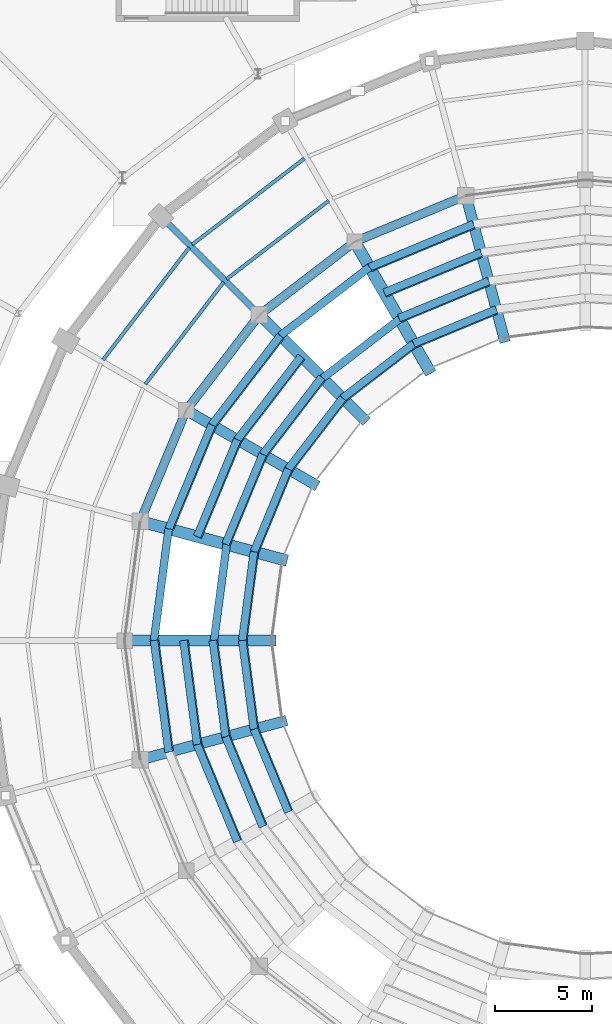
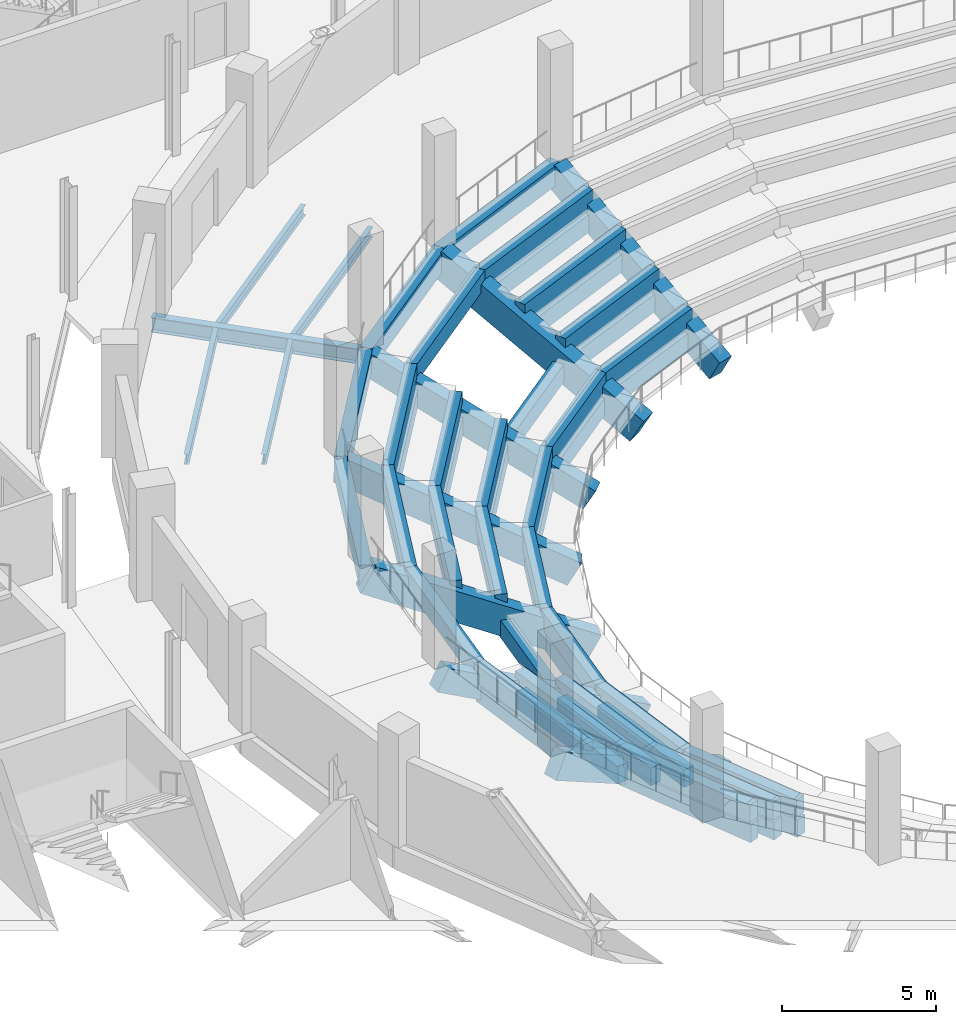
# One storey, part 53 of 134: 62 beams.
"""IFC4 building model written with IfcOpenShell, lengths in metres."""

from ifc_helpers import new_model, si_unit, direction, frame, origin, origin_2d, place, context, subcontext, project, spatial, rectangle, i_section, extrude, material, material_profile, profile_set, type_object, element, save


model = new_model("IFC4")

# Units and contexts
model_context = context("Model", 3, precision=1e-05, world=origin(), true_north=direction((0.0, 1.0)))
body_context = subcontext(model_context, "Body", "Model", "MODEL_VIEW")
ifc_project = project(units=[si_unit("LENGTHUNIT", "METRE"), si_unit("AREAUNIT", "SQUARE_METRE"), si_unit("VOLUMEUNIT", "CUBIC_METRE"), si_unit("PLANEANGLEUNIT", "RADIAN"), si_unit("MASSUNIT", "GRAM", prefix="KILO")], contexts=[model_context])

# Site, building, storey
site_placement = place(None, origin())
site = spatial("IfcSite", under=ifc_project, at=site_placement, CompositionType="ELEMENT")
building_placement = place(site_placement, origin())
building = spatial("IfcBuilding", under=site, at=building_placement, Name="Sohan Crest Arena", CompositionType="ELEMENT")
storey_placement = place(building_placement, frame((0.0, 0.0, 4.5)))
storey = spatial("IfcBuildingStorey", under=building, at=storey_placement, Name="L01", CompositionType="ELEMENT", Elevation=4.5)

# Beams
ifc_material_1 = material(Name="Steel S355", Category="steel")
ifc_material_profile_1 = material_profile(ifc_material_1, i_section(OverallWidth=0.179931640625, OverallDepth=0.39990234375, WebThickness=0.008544921875, FlangeThickness=0.013427734375, at=origin_2d()), Name="IPE 400")
ifc_profile_set_1 = profile_set([ifc_material_profile_1], Name="Steel S355")
beam_type_1 = type_object("IfcBeamType", Name="STR-BM-B03", PredefinedType="JOIST", material=ifc_profile_set_1)
beam_1_placement = place(storey_placement, frame((84.7529296875, 100.72705078125, -0.449951171875), z_axis=(-0.793353438114, -0.608761301523, 0.0), x_axis=(0.608761301523, -0.793353438114, 0.0)))
element("IfcBeam", 1, at=beam_1_placement, inside=storey, type_object=beam_type_1, Name="Structural beam J-L01-0111", PredefinedType="JOIST", context=body_context, shape_type="SweptSolid", body=[
    extrude(i_section(OverallWidth=0.179931640625, OverallDepth=0.39990234375, WebThickness=0.008544921875, FlangeThickness=0.013427734375, at=origin_2d()), origin(), (0.0, 0.0, 1.0), 6.6513671875),
])
beam_2_placement = place(storey_placement, frame((83.492919921875, 102.908935546875, -0.449951171875), z_axis=(-0.793394486436, -0.608707802556, 0.0), x_axis=(0.608707802556, -0.793394486436, 0.0)))
element("IfcBeam", 2, at=beam_2_placement, inside=storey, type_object=beam_type_1, Name="Structural beam J-L01-0112", PredefinedType="JOIST", context=body_context, shape_type="SweptSolid", body=[
    extrude(i_section(OverallWidth=0.179931640625, OverallDepth=0.39990234375, WebThickness=0.008544921875, FlangeThickness=0.013427734375, at=origin_2d()), origin(), (0.0, 0.0, 1.0), 7.308837890625),
])
beam_3_placement = place(storey_placement, frame((79.322021484375, 96.52392578125, -0.449951171875), z_axis=(-0.608761301523, -0.793353438114, 0.0), x_axis=(0.793353438114, -0.608761301523, 0.0)))
element("IfcBeam", 3, at=beam_3_placement, inside=storey, type_object=beam_type_1, Name="Structural beam J-L01-0133", PredefinedType="JOIST", context=body_context, shape_type="SweptSolid", body=[
    extrude(i_section(OverallWidth=0.179931640625, OverallDepth=0.39990234375, WebThickness=0.008544921875, FlangeThickness=0.013427734375, at=origin_2d()), origin(), (0.0, 0.0, 1.0), 6.6513671875),
])
beam_4_placement = place(storey_placement, frame((77.5400390625, 98.305908203125, -0.449951171875), z_axis=(-0.608707802556, -0.793394486436, 0.0), x_axis=(0.793394486436, -0.608707802556, 0.0)))
element("IfcBeam", 4, at=beam_4_placement, inside=storey, type_object=beam_type_1, Name="Structural beam J-L01-0134", PredefinedType="JOIST", context=body_context, shape_type="SweptSolid", body=[
    extrude(i_section(OverallWidth=0.179931640625, OverallDepth=0.39990234375, WebThickness=0.008544921875, FlangeThickness=0.013427734375, at=origin_2d()), origin(), (0.0, 0.0, 1.0), 7.308837890625),
])
ifc_material_profile_2 = material_profile(ifc_material_1, i_section(OverallWidth=0.300048828125, OverallDepth=0.590087890625, WebThickness=0.012939453125, FlangeThickness=0.02490234375, at=origin_2d()), Name="HEA 600")
ifc_profile_set_2 = profile_set([ifc_material_profile_2], Name="Steel S355")
beam_type_2 = type_object("IfcBeamType", Name="STR-BM-B11", PredefinedType="BEAM", material=ifc_profile_set_2)
beam_5_placement = place(storey_placement, frame((81.1708984375, 94.8291015625, -0.544921875), z_axis=(-0.707106781187, 0.707106781187, 0.0), x_axis=(-0.707106781187, -0.707106781187, 0.0)))
element("IfcBeam", 5, at=beam_5_placement, inside=storey, type_object=beam_type_2, Name="Structural beam G-L01-0132", PredefinedType="BEAM", context=body_context, shape_type="SweptSolid", body=[
    extrude(i_section(OverallWidth=0.300048828125, OverallDepth=0.590087890625, WebThickness=0.012939453125, FlangeThickness=0.02490234375, at=origin_2d()), origin(), (0.0, 0.0, 1.0), 7.199462890625),
])
ifc_material_2 = material(Name="Precast concrete C50/60", Category="concrete")
ifc_material_profile_3 = material_profile(ifc_material_2, rectangle(XDim=0.550048828125, YDim=0.89990234375, at=origin_2d()), Name="RAKER 550x900")
ifc_profile_set_3 = profile_set([ifc_material_profile_3], Name="Precast concrete C50/60")
beam_type_3 = type_object("IfcBeamType", Name="STR-BM-RK01", PredefinedType="USERDEFINED", material=ifc_profile_set_3)
for number, where, z_axis, x_axis, name in (
    (6, (86.544921875, 89.455078125, -4.75), (-0.622320930474, 0.622320930474, 0.474798187642), (-0.707106781187, -0.707106781187, 0.0), "Structural beam RK-L01-0820"),
    (7, (81.800048828125, 78.0, -4.75), (-0.880096810018, 0.0, 0.4747942765), (0.0, -1.0, 0.0), "Structural beam RK-L01-0829"),
):
    element("IfcBeam", number, at=place(storey_placement, frame(where, z_axis=z_axis, x_axis=x_axis)), inside=storey, type_object=beam_type_3, Name=name, ObjectType="RAKER", PredefinedType="USERDEFINED", context=body_context, shape_type="SweptSolid", body=[
        extrude(rectangle(XDim=0.550048828125, YDim=0.89990234375, at=origin_2d()), origin(), (0.0, 0.0, 1.0), 8.635498046875),
    ])
ifc_material_profile_4 = material_profile(ifc_material_2, rectangle(XDim=0.550048828125, YDim=1.0, at=origin_2d()), Name="RAKER 550x1000")
ifc_profile_set_4 = profile_set([ifc_material_profile_4], Name="Precast concrete C50/60")
beam_type_4 = type_object("IfcBeamType", Name="STR-BM-RK02", PredefinedType="USERDEFINED", material=ifc_profile_set_4)
beam_6_placement = place(storey_placement, frame((93.806884765625, 93.64794921875, -4.75), z_axis=(-0.227759505853, 0.850111790157, 0.47480053889), x_axis=(-0.965933569863, -0.258790143963, 0.0)))
element("IfcBeam", 8, at=beam_6_placement, inside=storey, type_object=beam_type_4, Name="Structural beam RK-L01-0814", ObjectType="RAKER", PredefinedType="USERDEFINED", context=body_context, shape_type="SweptSolid", body=[
    extrude(rectangle(XDim=0.550048828125, YDim=1.0, at=origin_2d()), origin(), (0.0, 0.0, 1.0), 8.635498046875),
])
beam_7_placement = place(storey_placement, frame((83.969970703125, 86.10009765625, -4.75), z_axis=(-0.762155736922, 0.440057571207, 0.474834673018), x_axis=(-0.500022797313, -0.86601224135, 0.0)))
element("IfcBeam", 9, at=beam_7_placement, inside=storey, type_object=beam_type_4, Name="Structural beam RK-L01-0823", ObjectType="RAKER", PredefinedType="USERDEFINED", context=body_context, shape_type="SweptSolid", body=[
    extrude(rectangle(XDim=0.550048828125, YDim=1.0, at=origin_2d()), origin(), (0.0, 0.0, 1.0), 8.634765625),
])
beam_8_placement = place(storey_placement, frame((82.35205078125, 73.806884765625, -4.75), z_axis=(-0.850111790157, -0.227759505853, 0.47480053889), x_axis=(0.258790143963, -0.965933569863, 0.0)))
element("IfcBeam", 10, at=beam_8_placement, inside=storey, type_object=beam_type_4, Name="Structural beam RK-L01-0832", ObjectType="RAKER", PredefinedType="USERDEFINED", context=body_context, shape_type="SweptSolid", body=[
    extrude(rectangle(XDim=0.550048828125, YDim=1.0, at=origin_2d()), origin(), (0.0, 0.0, 1.0), 8.635498046875),
])
ifc_material_profile_5 = material_profile(ifc_material_2, rectangle(XDim=0.60009765625, YDim=1.10009765625, at=origin_2d()), Name="RAKER 600x1100")
ifc_profile_set_5 = profile_set([ifc_material_profile_5], Name="Precast concrete C50/60")
beam_type_5 = type_object("IfcBeamType", Name="STR-BM-RK03", PredefinedType="USERDEFINED", material=ifc_profile_set_5)
beam_9_placement = place(storey_placement, frame((89.89990234375, 92.030029296875, -4.75), z_axis=(-0.440057571207, 0.762155736922, 0.474834673018), x_axis=(-0.86601224135, -0.500022797313, 0.0)))
element("IfcBeam", 11, at=beam_9_placement, inside=storey, type_object=beam_type_5, Name="Structural beam RK-L01-0817", ObjectType="RAKER", PredefinedType="USERDEFINED", context=body_context, shape_type="SweptSolid", body=[
    extrude(rectangle(XDim=0.60009765625, YDim=1.10009765625, at=origin_2d()), origin(), (0.0, 0.0, 1.0), 8.634765625),
])
beam_10_placement = place(storey_placement, frame((82.35205078125, 82.193115234375, -4.75), z_axis=(-0.850111790157, 0.227759505853, 0.47480053889), x_axis=(-0.258790143963, -0.965933569863, 0.0)))
element("IfcBeam", 12, at=beam_10_placement, inside=storey, type_object=beam_type_5, Name="Structural beam RK-L01-0826", ObjectType="RAKER", PredefinedType="USERDEFINED", context=body_context, shape_type="SweptSolid", body=[
    extrude(rectangle(XDim=0.60009765625, YDim=1.10009765625, at=origin_2d()), origin(), (0.0, 0.0, 1.0), 8.635498046875),
])
ifc_material_3 = material(Name="Concrete C40/50", Category="concrete")
ifc_material_profile_6 = material_profile(ifc_material_3, rectangle(XDim=0.39990234375, YDim=0.699951171875, at=origin_2d()), Name="RC-BM 400x700")
ifc_profile_set_6 = profile_set([ifc_material_profile_6], Name="Concrete C40/50")
beam_type_6 = type_object("IfcBeamType", Name="STR-BM-TB01", PredefinedType="BEAM", material=ifc_profile_set_6)
beam_11_placement = place(storey_placement, frame((93.428955078125, 95.056884765625, -4.220947265625), z_axis=(-0.923972303397, -0.382459386806, 0.0), x_axis=(0.382459386806, -0.923972303397, 0.0)))
element("IfcBeam", 13, at=beam_11_placement, inside=storey, type_object=beam_type_6, Name="Tier rear stringer beam TSB-L011B", PredefinedType="BEAM", context=body_context, shape_type="SweptSolid", body=[
    extrude(rectangle(XDim=0.39990234375, YDim=0.699951171875, at=origin_2d()), origin(), (0.0, 0.0, 1.0), 4.609375),
])
beam_12_placement = place(storey_placement, frame((93.4140625, 95.115966796875, -3.40087890625), z_axis=(-0.923910070219, -0.382609699496, 0.0), x_axis=(0.382609699496, -0.923910070219, 0.0)))
element("IfcBeam", 14, at=beam_12_placement, inside=storey, type_object=beam_type_6, Name="Tier front stringer beam TSB-L012A", PredefinedType="BEAM", context=body_context, shape_type="SweptSolid", body=[
    extrude(rectangle(XDim=0.39990234375, YDim=0.699951171875, at=origin_2d()), origin(), (0.0, 0.0, 1.0), 4.626220703125),
])
beam_13_placement = place(storey_placement, frame((93.035888671875, 96.52587890625, -3.40087890625), z_axis=(-0.923905709582, -0.382620229211, 0.0), x_axis=(0.382620229211, -0.923905709582, 0.0)))
element("IfcBeam", 15, at=beam_13_placement, inside=storey, type_object=beam_type_6, Name="Tier rear stringer beam TSB-L012B", PredefinedType="BEAM", context=body_context, shape_type="SweptSolid", body=[
    extrude(rectangle(XDim=0.39990234375, YDim=0.699951171875, at=origin_2d()), origin(), (0.0, 0.0, 1.0), 5.007080078125),
])
beam_14_placement = place(storey_placement, frame((93.02001953125, 96.583984375, -2.5810546875), z_axis=(-0.923888863856, -0.382660903729, 0.0), x_axis=(0.382660903729, -0.923888863856, 0.0)))
element("IfcBeam", 16, at=beam_14_placement, inside=storey, type_object=beam_type_6, Name="Tier front stringer beam TSB-L013A", PredefinedType="BEAM", context=body_context, shape_type="SweptSolid", body=[
    extrude(rectangle(XDim=0.39990234375, YDim=0.699951171875, at=origin_2d()), origin(), (0.0, 0.0, 1.0), 5.0224609375),
])
beam_15_placement = place(storey_placement, frame((92.64306640625, 97.993896484375, -2.5810546875), z_axis=(-0.923903420529, -0.382625756497, 0.0), x_axis=(0.382625756497, -0.923903420529, 0.0)))
element("IfcBeam", 17, at=beam_15_placement, inside=storey, type_object=beam_type_6, Name="Tier rear stringer beam TSB-L013B", PredefinedType="BEAM", context=body_context, shape_type="SweptSolid", body=[
    extrude(rectangle(XDim=0.39990234375, YDim=0.699951171875, at=origin_2d()), origin(), (0.0, 0.0, 1.0), 5.404541015625),
])
beam_16_placement = place(storey_placement, frame((92.626953125, 98.052978515625, -1.760986328125), z_axis=(-0.923874622611, -0.382695285697, 0.0), x_axis=(0.382695285697, -0.923874622611, 0.0)))
element("IfcBeam", 18, at=beam_16_placement, inside=storey, type_object=beam_type_6, Name="Tier front stringer beam TSB-L014A", PredefinedType="BEAM", context=body_context, shape_type="SweptSolid", body=[
    extrude(rectangle(XDim=0.39990234375, YDim=0.699951171875, at=origin_2d()), origin(), (0.0, 0.0, 1.0), 5.41943359375),
])
beam_17_placement = place(storey_placement, frame((92.2490234375, 99.4619140625, -1.760986328125), z_axis=(-0.923870632464, -0.382704918272, 0.0), x_axis=(0.382704918272, -0.923870632464, 0.0)))
element("IfcBeam", 19, at=beam_17_placement, inside=storey, type_object=beam_type_6, Name="Tier rear stringer beam TSB-L014B", PredefinedType="BEAM", context=body_context, shape_type="SweptSolid", body=[
    extrude(rectangle(XDim=0.39990234375, YDim=0.699951171875, at=origin_2d()), origin(), (0.0, 0.0, 1.0), 5.80078125),
])
beam_18_placement = place(storey_placement, frame((92.23291015625, 99.52099609375, -0.94091796875), z_axis=(-0.92384387602, -0.38276950341, 0.0), x_axis=(0.38276950341, -0.92384387602, 0.0)))
element("IfcBeam", 20, at=beam_18_placement, inside=storey, type_object=beam_type_6, Name="Tier front stringer beam TSB-L015A", PredefinedType="BEAM", context=body_context, shape_type="SweptSolid", body=[
    extrude(rectangle(XDim=0.39990234375, YDim=0.699951171875, at=origin_2d()), origin(), (0.0, 0.0, 1.0), 5.815673828125),
])
beam_19_placement = place(storey_placement, frame((89.169921875, 93.2939453125, -4.220947265625), z_axis=(-0.793271254702, -0.6088683901, 0.0), x_axis=(0.6088683901, -0.793271254702, 0.0)))
element("IfcBeam", 21, at=beam_19_placement, inside=storey, type_object=beam_type_6, Name="Tier rear stringer beam TSB-L021B", PredefinedType="BEAM", context=body_context, shape_type="SweptSolid", body=[
    extrude(rectangle(XDim=0.39990234375, YDim=0.699951171875, at=origin_2d()), origin(), (0.0, 0.0, 1.0), 4.610107421875),
])
beam_20_placement = place(storey_placement, frame((89.139892578125, 93.345947265625, -3.40087890625), z_axis=(-0.793365047282, -0.608746171857, 0.0), x_axis=(0.608746171857, -0.793365047282, 0.0)))
element("IfcBeam", 22, at=beam_20_placement, inside=storey, type_object=beam_type_6, Name="Tier front stringer beam TSB-L022A", PredefinedType="BEAM", context=body_context, shape_type="SweptSolid", body=[
    extrude(rectangle(XDim=0.39990234375, YDim=0.699951171875, at=origin_2d()), origin(), (0.0, 0.0, 1.0), 4.625732421875),
])
beam_21_placement = place(storey_placement, frame((88.409912109375, 94.610107421875, -3.40087890625), z_axis=(-0.793321375549, -0.608803084008, 0.0), x_axis=(0.608803084008, -0.793321375549, 0.0)))
element("IfcBeam", 23, at=beam_21_placement, inside=storey, type_object=beam_type_6, Name="Tier rear stringer beam TSB-L022B", PredefinedType="BEAM", context=body_context, shape_type="SweptSolid", body=[
    extrude(rectangle(XDim=0.39990234375, YDim=0.699951171875, at=origin_2d()), origin(), (0.0, 0.0, 1.0), 5.006591796875),
])
beam_22_placement = place(storey_placement, frame((86.860107421875, 97.294921875, -0.94091796875), z_axis=(-0.793306968677, -0.608821856907, 0.0), x_axis=(0.608821856907, -0.793306968677, 0.0)))
element("IfcBeam", 24, at=beam_22_placement, inside=storey, type_object=beam_type_6, Name="Tier front stringer beam TSB-L023A", PredefinedType="BEAM", context=body_context, shape_type="SweptSolid", body=[
    extrude(rectangle(XDim=0.39990234375, YDim=0.699951171875, at=origin_2d()), origin(), (0.0, 0.0, 1.0), 5.816162109375),
])
beam_23_placement = place(storey_placement, frame((85.512939453125, 90.487060546875, -4.220947265625), z_axis=(-0.6088683901, -0.793271254702, 0.0), x_axis=(0.793271254702, -0.6088683901, 0.0)))
element("IfcBeam", 25, at=beam_23_placement, inside=storey, type_object=beam_type_6, Name="Tier rear stringer beam TSB-L025B", PredefinedType="BEAM", context=body_context, shape_type="SweptSolid", body=[
    extrude(rectangle(XDim=0.39990234375, YDim=0.699951171875, at=origin_2d()), origin(), (0.0, 0.0, 1.0), 4.610107421875),
])
beam_24_placement = place(storey_placement, frame((85.469970703125, 90.530029296875, -3.40087890625), z_axis=(-0.608746171857, -0.793365047282, 0.0), x_axis=(0.793365047282, -0.608746171857, 0.0)))
element("IfcBeam", 26, at=beam_24_placement, inside=storey, type_object=beam_type_6, Name="Tier front stringer beam TSB-L026A", PredefinedType="BEAM", context=body_context, shape_type="SweptSolid", body=[
    extrude(rectangle(XDim=0.39990234375, YDim=0.699951171875, at=origin_2d()), origin(), (0.0, 0.0, 1.0), 4.625732421875),
])
beam_25_placement = place(storey_placement, frame((84.43798828125, 91.56201171875, -3.40087890625), z_axis=(-0.608803084008, -0.793321375549, 0.0), x_axis=(0.793321375549, -0.608803084008, 0.0)))
element("IfcBeam", 27, at=beam_25_placement, inside=storey, type_object=beam_type_6, Name="Tier rear stringer beam TSB-L026B", PredefinedType="BEAM", context=body_context, shape_type="SweptSolid", body=[
    extrude(rectangle(XDim=0.39990234375, YDim=0.699951171875, at=origin_2d()), origin(), (0.0, 0.0, 1.0), 5.006591796875),
])
beam_26_placement = place(storey_placement, frame((84.39501953125, 91.60498046875, -2.5810546875), z_axis=(-0.608690717605, -0.793407594054, 0.0), x_axis=(0.793407594054, -0.608690717605, 0.0)))
element("IfcBeam", 28, at=beam_26_placement, inside=storey, type_object=beam_type_6, Name="Tier front stringer beam TSB-L027A", PredefinedType="BEAM", context=body_context, shape_type="SweptSolid", body=[
    extrude(rectangle(XDim=0.39990234375, YDim=0.699951171875, at=origin_2d()), origin(), (0.0, 0.0, 1.0), 5.0224609375),
])
beam_27_placement = place(storey_placement, frame((83.364013671875, 92.635986328125, -2.5810546875), z_axis=(-0.608919963129, -0.793231667612, 0.0), x_axis=(0.793231667612, -0.608919963129, 0.0)))
element("IfcBeam", 29, at=beam_27_placement, inside=storey, type_object=beam_type_6, Name="Tier rear stringer beam TSB-L027B", PredefinedType="BEAM", context=body_context, shape_type="SweptSolid", body=[
    extrude(rectangle(XDim=0.39990234375, YDim=0.699951171875, at=origin_2d()), origin(), (0.0, 0.0, 1.0), 5.403076171875),
])
beam_28_placement = place(storey_placement, frame((83.321044921875, 92.678955078125, -1.760986328125), z_axis=(-0.608907128445, -0.793241519922, 0.0), x_axis=(0.793241519922, -0.608907128445, 0.0)))
element("IfcBeam", 30, at=beam_28_placement, inside=storey, type_object=beam_type_6, Name="Tier front stringer beam TSB-L028A", PredefinedType="BEAM", context=body_context, shape_type="SweptSolid", body=[
    extrude(rectangle(XDim=0.39990234375, YDim=0.699951171875, at=origin_2d()), origin(), (0.0, 0.0, 1.0), 5.419677734375),
])
beam_29_placement = place(storey_placement, frame((82.2890625, 93.7109375, -1.760986328125), z_axis=(-0.608833571626, -0.793297978102, 0.0), x_axis=(0.793297978102, -0.608833571626, 0.0)))
element("IfcBeam", 31, at=beam_29_placement, inside=storey, type_object=beam_type_6, Name="Tier rear stringer beam TSB-L028B", PredefinedType="BEAM", context=body_context, shape_type="SweptSolid", body=[
    extrude(rectangle(XDim=0.39990234375, YDim=0.699951171875, at=origin_2d()), origin(), (0.0, 0.0, 1.0), 5.799560546875),
])
beam_30_placement = place(storey_placement, frame((82.24609375, 93.75390625, -0.94091796875), z_axis=(-0.608821856907, -0.793306968677, 0.0), x_axis=(0.793306968677, -0.608821856907, 0.0)))
element("IfcBeam", 32, at=beam_30_placement, inside=storey, type_object=beam_type_6, Name="Tier front stringer beam TSB-L029A", PredefinedType="BEAM", context=body_context, shape_type="SweptSolid", body=[
    extrude(rectangle(XDim=0.39990234375, YDim=0.699951171875, at=origin_2d()), origin(), (0.0, 0.0, 1.0), 5.816162109375),
])
beam_31_placement = place(storey_placement, frame((82.7060546875, 86.830078125, -4.220947265625), z_axis=(-0.382459386806, -0.923972303397, 0.0), x_axis=(0.923972303397, -0.382459386806, 0.0)))
element("IfcBeam", 33, at=beam_31_placement, inside=storey, type_object=beam_type_6, Name="Tier rear stringer beam TSB-L035B", PredefinedType="BEAM", context=body_context, shape_type="SweptSolid", body=[
    extrude(rectangle(XDim=0.39990234375, YDim=0.699951171875, at=origin_2d()), origin(), (0.0, 0.0, 1.0), 4.609375),
])
beam_32_placement = place(storey_placement, frame((82.654052734375, 86.860107421875, -3.40087890625), z_axis=(-0.382609699496, -0.923910070219, 0.0), x_axis=(0.923910070219, -0.382609699496, 0.0)))
element("IfcBeam", 34, at=beam_32_placement, inside=storey, type_object=beam_type_6, Name="Tier front stringer beam TSB-L036A", PredefinedType="BEAM", context=body_context, shape_type="SweptSolid", body=[
    extrude(rectangle(XDim=0.39990234375, YDim=0.699951171875, at=origin_2d()), origin(), (0.0, 0.0, 1.0), 4.626220703125),
])
beam_33_placement = place(storey_placement, frame((81.389892578125, 87.590087890625, -3.40087890625), z_axis=(-0.382620229211, -0.923905709582, 0.0), x_axis=(0.923905709582, -0.382620229211, 0.0)))
element("IfcBeam", 35, at=beam_33_placement, inside=storey, type_object=beam_type_6, Name="Tier rear stringer beam TSB-L036B", PredefinedType="BEAM", context=body_context, shape_type="SweptSolid", body=[
    extrude(rectangle(XDim=0.39990234375, YDim=0.699951171875, at=origin_2d()), origin(), (0.0, 0.0, 1.0), 5.007080078125),
])
beam_34_placement = place(storey_placement, frame((81.337890625, 87.6201171875, -2.5810546875), z_axis=(-0.382660903729, -0.923888863856, 0.0), x_axis=(0.923888863856, -0.382660903729, 0.0)))
element("IfcBeam", 36, at=beam_34_placement, inside=storey, type_object=beam_type_6, Name="Tier front stringer beam TSB-L037A", PredefinedType="BEAM", context=body_context, shape_type="SweptSolid", body=[
    extrude(rectangle(XDim=0.39990234375, YDim=0.699951171875, at=origin_2d()), origin(), (0.0, 0.0, 1.0), 5.0224609375),
])
beam_35_placement = place(storey_placement, frame((80.073974609375, 88.35009765625, -2.5810546875), z_axis=(-0.382625756497, -0.923903420529, 0.0), x_axis=(0.923903420529, -0.382625756497, 0.0)))
element("IfcBeam", 37, at=beam_35_placement, inside=storey, type_object=beam_type_6, Name="Tier rear stringer beam TSB-L037B", PredefinedType="BEAM", context=body_context, shape_type="SweptSolid", body=[
    extrude(rectangle(XDim=0.39990234375, YDim=0.699951171875, at=origin_2d()), origin(), (0.0, 0.0, 1.0), 5.404541015625),
])
beam_36_placement = place(storey_placement, frame((80.02099609375, 88.3798828125, -1.760986328125), z_axis=(-0.382695285697, -0.923874622611, 0.0), x_axis=(0.923874622611, -0.382695285697, 0.0)))
element("IfcBeam", 38, at=beam_36_placement, inside=storey, type_object=beam_type_6, Name="Tier front stringer beam TSB-L038A", PredefinedType="BEAM", context=body_context, shape_type="SweptSolid", body=[
    extrude(rectangle(XDim=0.39990234375, YDim=0.699951171875, at=origin_2d()), origin(), (0.0, 0.0, 1.0), 5.41943359375),
])
beam_37_placement = place(storey_placement, frame((78.758056640625, 89.110107421875, -1.760986328125), z_axis=(-0.382704918272, -0.923870632464, 0.0), x_axis=(0.923870632464, -0.382704918272, 0.0)))
element("IfcBeam", 39, at=beam_37_placement, inside=storey, type_object=beam_type_6, Name="Tier rear stringer beam TSB-L038B", PredefinedType="BEAM", context=body_context, shape_type="SweptSolid", body=[
    extrude(rectangle(XDim=0.39990234375, YDim=0.699951171875, at=origin_2d()), origin(), (0.0, 0.0, 1.0), 5.80078125),
])
beam_38_placement = place(storey_placement, frame((78.705078125, 89.139892578125, -0.94091796875), z_axis=(-0.38276950341, -0.92384387602, 0.0), x_axis=(0.92384387602, -0.38276950341, 0.0)))
element("IfcBeam", 40, at=beam_38_placement, inside=storey, type_object=beam_type_6, Name="Tier front stringer beam TSB-L039A", PredefinedType="BEAM", context=body_context, shape_type="SweptSolid", body=[
    extrude(rectangle(XDim=0.39990234375, YDim=0.699951171875, at=origin_2d()), origin(), (0.0, 0.0, 1.0), 5.815673828125),
])
beam_39_placement = place(storey_placement, frame((80.943115234375, 82.571044921875, -4.220947265625), z_axis=(-0.130581901297, -0.991437525542, 0.0), x_axis=(0.991437525542, -0.130581901297, 0.0)))
element("IfcBeam", 41, at=beam_39_placement, inside=storey, type_object=beam_type_6, Name="Tier rear stringer beam TSB-L045B", PredefinedType="BEAM", context=body_context, shape_type="SweptSolid", body=[
    extrude(rectangle(XDim=0.39990234375, YDim=0.699951171875, at=origin_2d()), origin(), (0.0, 0.0, 1.0), 4.610595703125),
])
beam_40_placement = place(storey_placement, frame((80.884033203125, 82.5859375, -3.40087890625), z_axis=(-0.130580122331, -0.991437759848, 0.0), x_axis=(0.991437759848, -0.130580122331, 0.0)))
element("IfcBeam", 42, at=beam_40_placement, inside=storey, type_object=beam_type_6, Name="Tier front stringer beam TSB-L046A", PredefinedType="BEAM", context=body_context, shape_type="SweptSolid", body=[
    extrude(rectangle(XDim=0.39990234375, YDim=0.699951171875, at=origin_2d()), origin(), (0.0, 0.0, 1.0), 4.62548828125),
])
beam_41_placement = place(storey_placement, frame((79.47412109375, 82.964111328125, -3.40087890625), z_axis=(-0.130435592362, -0.99145678486, 0.0), x_axis=(0.99145678486, -0.130435592362, 0.0)))
element("IfcBeam", 43, at=beam_41_placement, inside=storey, type_object=beam_type_6, Name="Tier rear stringer beam TSB-L046B", PredefinedType="BEAM", context=body_context, shape_type="SweptSolid", body=[
    extrude(rectangle(XDim=0.39990234375, YDim=0.699951171875, at=origin_2d()), origin(), (0.0, 0.0, 1.0), 5.0068359375),
])
beam_42_placement = place(storey_placement, frame((76.47900390625, 83.76708984375, -0.94091796875), z_axis=(-0.130489255371, -0.991449723502, 0.0), x_axis=(0.991449723502, -0.130489255371, 0.0)))
element("IfcBeam", 44, at=beam_42_placement, inside=storey, type_object=beam_type_6, Name="Tier front stringer beam TSB-L047A", PredefinedType="BEAM", context=body_context, shape_type="SweptSolid", body=[
    extrude(rectangle(XDim=0.39990234375, YDim=0.699951171875, at=origin_2d()), origin(), (0.0, 0.0, 1.0), 5.81689453125),
])
beam_43_placement = place(storey_placement, frame((80.341064453125, 78.0, -4.220947265625), z_axis=(0.130581901297, -0.991437525542, 0.0), x_axis=(0.991437525542, 0.130581901297, 0.0)))
element("IfcBeam", 45, at=beam_43_placement, inside=storey, type_object=beam_type_6, Name="Tier rear stringer beam TSB-L049B", PredefinedType="BEAM", context=body_context, shape_type="SweptSolid", body=[
    extrude(rectangle(XDim=0.39990234375, YDim=0.699951171875, at=origin_2d()), origin(), (0.0, 0.0, 1.0), 4.610595703125),
])
beam_44_placement = place(storey_placement, frame((80.280029296875, 78.0, -3.40087890625), z_axis=(0.130580122331, -0.991437759848, 0.0), x_axis=(0.991437759848, 0.130580122331, 0.0)))
element("IfcBeam", 46, at=beam_44_placement, inside=storey, type_object=beam_type_6, Name="Tier front stringer beam TSB-L050A", PredefinedType="BEAM", context=body_context, shape_type="SweptSolid", body=[
    extrude(rectangle(XDim=0.39990234375, YDim=0.699951171875, at=origin_2d()), origin(), (0.0, 0.0, 1.0), 4.62548828125),
])
beam_45_placement = place(storey_placement, frame((78.821044921875, 78.0, -3.40087890625), z_axis=(0.130435592362, -0.99145678486, 0.0), x_axis=(0.99145678486, 0.130435592362, 0.0)))
element("IfcBeam", 47, at=beam_45_placement, inside=storey, type_object=beam_type_6, Name="Tier rear stringer beam TSB-L050B", PredefinedType="BEAM", context=body_context, shape_type="SweptSolid", body=[
    extrude(rectangle(XDim=0.39990234375, YDim=0.699951171875, at=origin_2d()), origin(), (0.0, 0.0, 1.0), 5.0068359375),
])
beam_46_placement = place(storey_placement, frame((78.760009765625, 78.0, -2.5810546875), z_axis=(0.130600357821, -0.991435094465, 0.0), x_axis=(0.991435094465, 0.130600357821, 0.0)))
element("IfcBeam", 48, at=beam_46_placement, inside=storey, type_object=beam_type_6, Name="Tier front stringer beam TSB-L051A", PredefinedType="BEAM", context=body_context, shape_type="SweptSolid", body=[
    extrude(rectangle(XDim=0.39990234375, YDim=0.699951171875, at=origin_2d()), origin(), (0.0, 0.0, 1.0), 5.02294921875),
])
beam_47_placement = place(storey_placement, frame((77.301025390625, 78.0, -2.5810546875), z_axis=(0.130494253112, -0.991449065714, 0.0), x_axis=(0.991449065714, 0.130494253112, 0.0)))
element("IfcBeam", 49, at=beam_47_placement, inside=storey, type_object=beam_type_6, Name="Tier rear stringer beam TSB-L051B", PredefinedType="BEAM", context=body_context, shape_type="SweptSolid", body=[
    extrude(rectangle(XDim=0.39990234375, YDim=0.699951171875, at=origin_2d()), origin(), (0.0, 0.0, 1.0), 5.403076171875),
])
beam_48_placement = place(storey_placement, frame((77.239990234375, 78.0, -1.760986328125), z_axis=(0.130463835301, -0.991453068823, 0.0), x_axis=(0.991453068823, 0.130463835301, 0.0)))
element("IfcBeam", 50, at=beam_48_placement, inside=storey, type_object=beam_type_6, Name="Tier front stringer beam TSB-L052A", PredefinedType="BEAM", context=body_context, shape_type="SweptSolid", body=[
    extrude(rectangle(XDim=0.39990234375, YDim=0.699951171875, at=origin_2d()), origin(), (0.0, 0.0, 1.0), 5.41943359375),
])
beam_49_placement = place(storey_placement, frame((75.781005859375, 78.0, -1.760986328125), z_axis=(0.130517659973, -0.991445984628, 0.0), x_axis=(0.991445984628, 0.130517659973, 0.0)))
element("IfcBeam", 51, at=beam_49_placement, inside=storey, type_object=beam_type_6, Name="Tier rear stringer beam TSB-L052B", PredefinedType="BEAM", context=body_context, shape_type="SweptSolid", body=[
    extrude(rectangle(XDim=0.39990234375, YDim=0.699951171875, at=origin_2d()), origin(), (0.0, 0.0, 1.0), 5.800537109375),
])
beam_50_placement = place(storey_placement, frame((75.719970703125, 78.0, -0.94091796875), z_axis=(0.130489255371, -0.991449723502, 0.0), x_axis=(0.991449723502, 0.130489255371, 0.0)))
element("IfcBeam", 52, at=beam_50_placement, inside=storey, type_object=beam_type_6, Name="Tier front stringer beam TSB-L053A", PredefinedType="BEAM", context=body_context, shape_type="SweptSolid", body=[
    extrude(rectangle(XDim=0.39990234375, YDim=0.699951171875, at=origin_2d()), origin(), (0.0, 0.0, 1.0), 5.81689453125),
])
beam_51_placement = place(storey_placement, frame((80.943115234375, 73.428955078125, -4.220947265625), z_axis=(0.382459386806, -0.923972303397, 0.0), x_axis=(0.923972303397, 0.382459386806, 0.0)))
element("IfcBeam", 53, at=beam_51_placement, inside=storey, type_object=beam_type_6, Name="Tier rear stringer beam TSB-L059B", PredefinedType="BEAM", context=body_context, shape_type="SweptSolid", body=[
    extrude(rectangle(XDim=0.39990234375, YDim=0.699951171875, at=origin_2d()), origin(), (0.0, 0.0, 1.0), 4.609375),
])
beam_52_placement = place(storey_placement, frame((80.884033203125, 73.4140625, -3.40087890625), z_axis=(0.382609699496, -0.923910070219, 0.0), x_axis=(0.923910070219, 0.382609699496, 0.0)))
element("IfcBeam", 54, at=beam_52_placement, inside=storey, type_object=beam_type_6, Name="Tier front stringer beam TSB-L060A", PredefinedType="BEAM", context=body_context, shape_type="SweptSolid", body=[
    extrude(rectangle(XDim=0.39990234375, YDim=0.699951171875, at=origin_2d()), origin(), (0.0, 0.0, 1.0), 4.626220703125),
])
beam_53_placement = place(storey_placement, frame((79.47412109375, 73.035888671875, -3.40087890625), z_axis=(0.382620229211, -0.923905709582, 0.0), x_axis=(0.923905709582, 0.382620229211, 0.0)))
element("IfcBeam", 55, at=beam_53_placement, inside=storey, type_object=beam_type_6, Name="Tier rear stringer beam TSB-L060B", PredefinedType="BEAM", context=body_context, shape_type="SweptSolid", body=[
    extrude(rectangle(XDim=0.39990234375, YDim=0.699951171875, at=origin_2d()), origin(), (0.0, 0.0, 1.0), 5.007080078125),
])
beam_54_placement = place(storey_placement, frame((79.416015625, 73.02001953125, -2.5810546875), z_axis=(0.382660903729, -0.923888863856, 0.0), x_axis=(0.923888863856, 0.382660903729, 0.0)))
element("IfcBeam", 56, at=beam_54_placement, inside=storey, type_object=beam_type_6, Name="Tier front stringer beam TSB-L061A", PredefinedType="BEAM", context=body_context, shape_type="SweptSolid", body=[
    extrude(rectangle(XDim=0.39990234375, YDim=0.699951171875, at=origin_2d()), origin(), (0.0, 0.0, 1.0), 5.0224609375),
])
beam_55_placement = place(storey_placement, frame((78.006103515625, 72.64306640625, -2.5810546875), z_axis=(0.382625756497, -0.923903420529, 0.0), x_axis=(0.923903420529, 0.382625756497, 0.0)))
element("IfcBeam", 57, at=beam_55_placement, inside=storey, type_object=beam_type_6, Name="Tier rear stringer beam TSB-L061B", PredefinedType="BEAM", context=body_context, shape_type="SweptSolid", body=[
    extrude(rectangle(XDim=0.39990234375, YDim=0.699951171875, at=origin_2d()), origin(), (0.0, 0.0, 1.0), 5.404541015625),
])
beam_56_placement = place(storey_placement, frame((77.947021484375, 72.626953125, -1.760986328125), z_axis=(0.382695285697, -0.923874622611, 0.0), x_axis=(0.923874622611, 0.382695285697, 0.0)))
element("IfcBeam", 58, at=beam_56_placement, inside=storey, type_object=beam_type_6, Name="Tier front stringer beam TSB-L062A", PredefinedType="BEAM", context=body_context, shape_type="SweptSolid", body=[
    extrude(rectangle(XDim=0.39990234375, YDim=0.699951171875, at=origin_2d()), origin(), (0.0, 0.0, 1.0), 5.41943359375),
])
ifc_material_profile_7 = material_profile(ifc_material_3, rectangle(XDim=0.449951171875, YDim=0.800048828125, at=origin_2d()), Name="RC-BM 450x800")
ifc_profile_set_7 = profile_set([ifc_material_profile_7], Name="Concrete C40/50")
beam_type_7 = type_object("IfcBeamType", Name="STR-BM-TB02", PredefinedType="BEAM", material=ifc_profile_set_7)
beam_57_placement = place(storey_placement, frame((91.840087890625, 100.989013671875, -0.64990234375), z_axis=(-0.92385973493, -0.382731224457, 0.0), x_axis=(0.382731224457, -0.92385973493, 0.0)))
element("IfcBeam", 59, at=beam_57_placement, inside=storey, type_object=beam_type_7, Name="Structural beam TB-L01-0086", PredefinedType="BEAM", context=body_context, shape_type="SweptSolid", body=[
    extrude(rectangle(XDim=0.449951171875, YDim=0.800048828125, at=origin_2d()), origin(), (0.0, 0.0, 1.0), 6.213134765625),
])
for number, where, z_axis, x_axis, name in (
    (60, (86.10009765625, 98.611083984375, -0.64990234375), (-0.793378616602, -0.608728486864, 0.0), (0.608728486864, -0.793378616602, 0.0), "Structural beam TB-L01-0108"),
    (61, (81.1708984375, 94.8291015625, -0.64990234375), (-0.608728486864, -0.793378616602, 0.0), (0.793378616602, -0.608728486864, 0.0), "Structural beam TB-L01-0130"),
):
    element("IfcBeam", number, at=place(storey_placement, frame(where, z_axis=z_axis, x_axis=x_axis)), inside=storey, type_object=beam_type_7, Name=name, PredefinedType="BEAM", context=body_context, shape_type="SweptSolid", body=[
        extrude(rectangle(XDim=0.449951171875, YDim=0.800048828125, at=origin_2d()), origin(), (0.0, 0.0, 1.0), 6.212890625),
    ])
beam_58_placement = place(storey_placement, frame((77.388916015625, 89.89990234375, -0.64990234375), z_axis=(-0.382731224457, -0.92385973493, 0.0), x_axis=(0.92385973493, -0.382731224457, 0.0)))
element("IfcBeam", 62, at=beam_58_placement, inside=storey, type_object=beam_type_7, Name="Structural beam TB-L01-0152", PredefinedType="BEAM", context=body_context, shape_type="SweptSolid", body=[
    extrude(rectangle(XDim=0.449951171875, YDim=0.800048828125, at=origin_2d()), origin(), (0.0, 0.0, 1.0), 6.213134765625),
])

save(model, "model.ifc")
